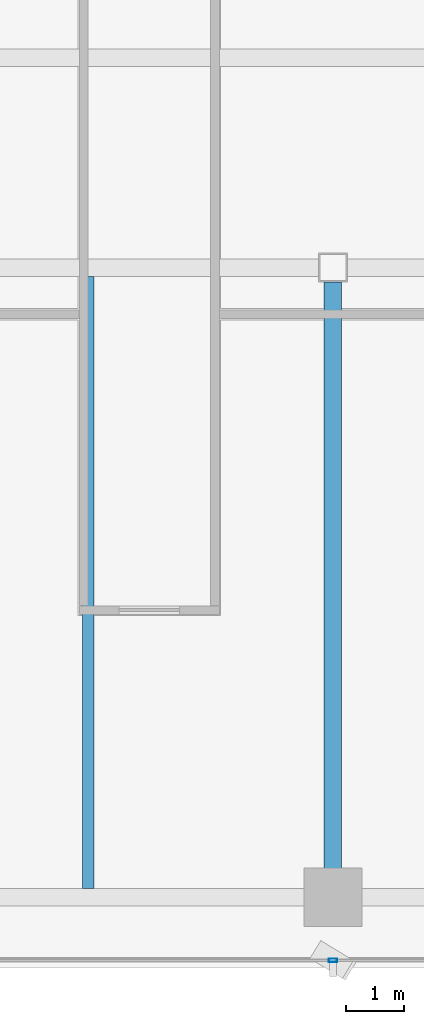
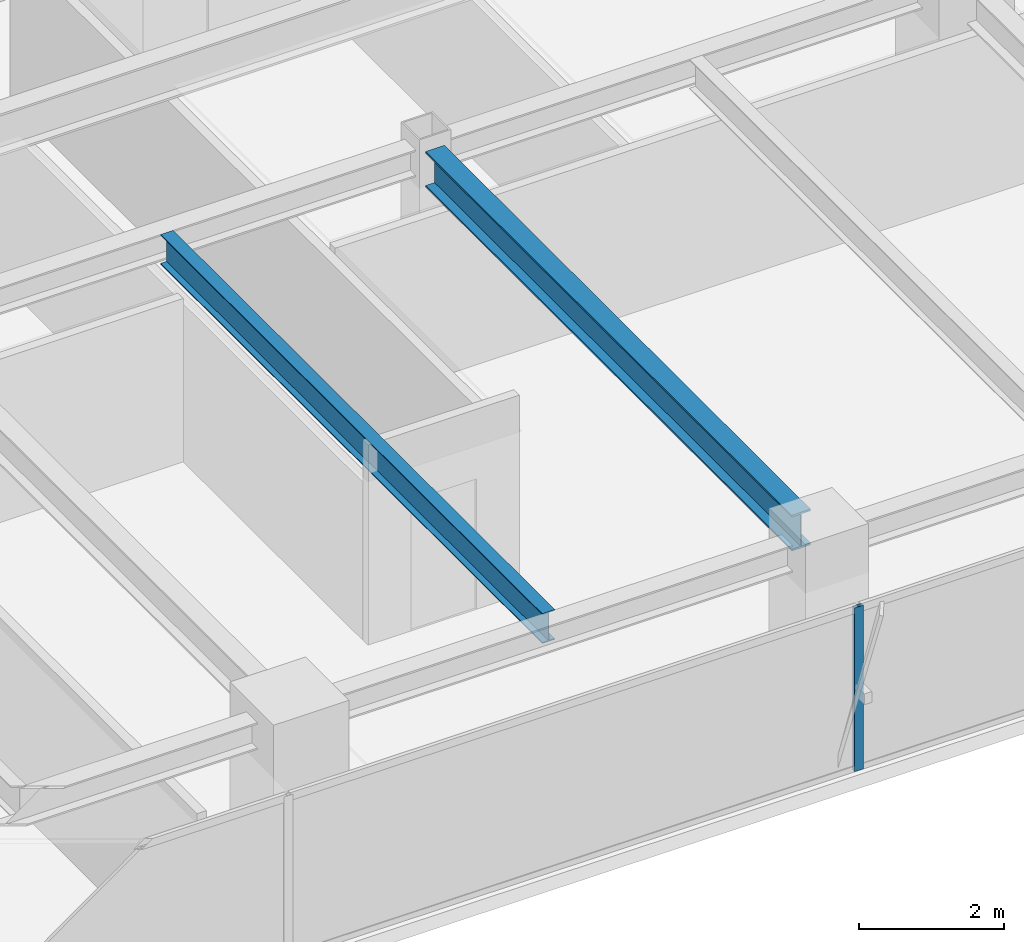
# One storey, part 6 of 25: 2 beams, 1 member, 1 element without a shape of its own.
"""IFC4 building model written with IfcOpenShell, lengths in metres."""

import ifcopenshell
import ifcopenshell.guid

model = None  # the IFC model being written
_history = None  # IfcOwnerHistory: only IFC2X3 demands one
_inside = {}  # id of a spatial element -> (the spatial element, [elements in it])
_under = {}  # id of a project, library or spatial element -> (it, [spatial elements below it])
_declared = {}  # id of a project -> (the project, [libraries it declares])
_typed = {}  # id of a type object -> (the type object, [elements of that type])
_made_of = {}  # id of a material, layer set ... -> (it, [elements and type objects made of it])


def new_model(schema):
    """Start an empty IFC model of exactly this schema.

    Asked for "IFC4X3", IfcOpenShell would pick the latest addendum, in which some entities
    have other attributes; the version numbers below select the first issue.
    IFC2X3 requires an IfcOwnerHistory on every rooted entity: one is made here for all.
    """
    global model, _history
    if schema == "IFC4X3":
        model = ifcopenshell.file(schema_version=(4, 3, 0, 0))
    else:
        model = ifcopenshell.file(schema=schema)
    _inside.clear()
    _under.clear()
    _declared.clear()
    _typed.clear()
    _made_of.clear()
    _history = None
    if model.schema == "IFC2X3":
        org = make("IfcOrganization", Name="unknown")
        user = make(
            "IfcPersonAndOrganization",
            ThePerson=make("IfcPerson", FamilyName="unknown"),
            TheOrganization=org,
        )
        app = make(
            "IfcApplication",
            ApplicationDeveloper=org,
            Version="unknown",
            ApplicationFullName="unknown",
            ApplicationIdentifier="unknown",
        )
        _history = make(
            "IfcOwnerHistory",
            OwningUser=user,
            OwningApplication=app,
            ChangeAction="ADDED",
            CreationDate=0,
        )
    return model


def make(cls, **values):
    """One entity of the class cls with the attributes given. An attribute that is None is left unset."""
    return model.create_entity(
        cls, **{name: value for name, value in values.items() if value is not None}
    )


def rooted(cls, **values):
    """An entity with a GlobalId (a new one), such as an element, a storey or a relation."""
    return make(cls, GlobalId=ifcopenshell.guid.new(), OwnerHistory=_history, **values)


def si_unit(unit_type, name, prefix=None):
    """IfcSIUnit, for example si_unit("LENGTHUNIT", "METRE", prefix="MILLI")."""
    return make("IfcSIUnit", UnitType=unit_type, Prefix=prefix, Name=name)


def assignment(units):
    """IfcUnitAssignment: the units of a project."""
    return None if units is None else make("IfcUnitAssignment", Units=units)


def point(xyz):
    """IfcCartesianPoint."""
    return None if xyz is None else make("IfcCartesianPoint", Coordinates=xyz)


def direction(xyz):
    """IfcDirection."""
    return None if xyz is None else make("IfcDirection", DirectionRatios=xyz)


def frame(location, z_axis=None, x_axis=None):
    """IfcAxis2Placement3D, a coordinate frame: its origin and axes. An axis left out is left unset."""
    return make(
        "IfcAxis2Placement3D",
        Location=point(location),
        Axis=direction(z_axis),
        RefDirection=direction(x_axis),
    )


def frame_2d(location, x_axis=None):
    """IfcAxis2Placement2D, a coordinate frame in the plane: its origin and x axis."""
    return make(
        "IfcAxis2Placement2D", Location=point(location), RefDirection=direction(x_axis)
    )


def origin():
    """The frame at (0, 0, 0) with its axes left unset."""
    return frame((0.0, 0.0, 0.0))


def origin_2d():
    """The frame at (0, 0) in the plane with its x axis left unset."""
    return frame_2d((0.0, 0.0))


def place(relative_to, where):
    """IfcLocalPlacement: puts the frame where relative to a parent placement (None: the world)."""
    return make(
        "IfcLocalPlacement", PlacementRelTo=relative_to, RelativePlacement=where
    )


def context(
    kind, dimensions, precision=None, world=None, true_north=None, identifier=None
):
    """IfcGeometricRepresentationContext, for example the 3D "Model" context."""
    return make(
        "IfcGeometricRepresentationContext",
        ContextIdentifier=identifier,
        ContextType=kind,
        CoordinateSpaceDimension=dimensions,
        Precision=precision,
        WorldCoordinateSystem=world,
        TrueNorth=true_north,
    )


def subcontext(parent, identifier, kind, view, scale=None):
    """IfcGeometricRepresentationSubContext, for example "Body" below "Model"."""
    return make(
        "IfcGeometricRepresentationSubContext",
        ContextIdentifier=identifier,
        ContextType=kind,
        ParentContext=parent,
        TargetScale=scale,
        TargetView=view,
    )


def project(units=None, contexts=None):
    """IfcProject with its units and contexts."""
    return rooted(
        "IfcProject",
        Name="project",
        RepresentationContexts=contexts,
        UnitsInContext=assignment(units),
    )


def spatial(cls, under=None, at=None, **own):
    """A site, building, storey or space (cls), placed at a placement, below another one or the project."""
    s = rooted(cls, ObjectPlacement=at, **own)
    if under is not None:
        _under.setdefault(under.id(), (under, []))[1].append(s)
    return s


def profile(cls, at=None, kind="AREA", **sizes):
    """A parametric profile (cls). Its sizes go by their IFC names, for example OverallWidth=200.0."""
    return make(cls, ProfileType=kind, Position=at, **sizes)


def hollow_rectangle(**sizes):
    """IfcRectangleHollowProfileDef."""
    return profile("IfcRectangleHollowProfileDef", **sizes)


def i_section(**sizes):
    """IfcIShapeProfileDef."""
    return profile("IfcIShapeProfileDef", **sizes)


def extrude(swept, where, along, depth):
    """IfcExtrudedAreaSolid: the profile swept, set in the frame where, extruded along a direction by depth."""
    return make(
        "IfcExtrudedAreaSolid",
        SweptArea=swept,
        Position=where,
        ExtrudedDirection=direction(along),
        Depth=depth,
    )


def shape(context_of_items, identifier, shape_type, items):
    """IfcShapeRepresentation: the items that make up one representation, for example the "Body"."""
    return make(
        "IfcShapeRepresentation",
        ContextOfItems=context_of_items,
        RepresentationIdentifier=identifier,
        RepresentationType=shape_type,
        Items=items,
    )


def source(mapping_origin, context_of_items, identifier, shape_type, items):
    """IfcRepresentationMap: a shape defined once, which mapped items show again and again."""
    return make(
        "IfcRepresentationMap",
        MappingOrigin=mapping_origin,
        MappedRepresentation=shape(context_of_items, identifier, shape_type, items),
    )


def transform(
    local_origin,
    x_axis=None,
    y_axis=None,
    z_axis=None,
    scale=None,
    scale2=None,
    scale3=None,
    uniform=True,
):
    """IfcCartesianTransformationOperator3D, or its non-uniform kind. x_axis, y_axis, z_axis: its Axis1, 2, 3."""
    if uniform:
        return make(
            "IfcCartesianTransformationOperator3D",
            Axis1=direction(x_axis),
            Axis2=direction(y_axis),
            LocalOrigin=point(local_origin),
            Scale=scale,
            Axis3=direction(z_axis),
        )
    return make(
        "IfcCartesianTransformationOperator3DnonUniform",
        Axis1=direction(x_axis),
        Axis2=direction(y_axis),
        LocalOrigin=point(local_origin),
        Scale=scale,
        Axis3=direction(z_axis),
        Scale2=scale2,
        Scale3=scale3,
    )


def mapped(mapping_source, mapping_target):
    """IfcMappedItem: shows the shape of a source again, moved by a transform."""
    return make(
        "IfcMappedItem", MappingSource=mapping_source, MappingTarget=mapping_target
    )


def material(Name=None, Category=None):
    """IfcMaterial."""
    return make("IfcMaterial", Name=Name, Category=Category)


def layer(
    of_material, thickness, ventilated=None, Name=None, Category=None, Priority=None
):
    """IfcMaterialLayer: one layer of a wall or slab, of a material (None: an air gap)."""
    return make(
        "IfcMaterialLayer",
        Material=of_material,
        LayerThickness=thickness,
        IsVentilated=ventilated,
        Name=Name,
        Category=Category,
        Priority=Priority,
    )


def layer_set(layers, Name=None):
    """IfcMaterialLayerSet."""
    return make("IfcMaterialLayerSet", MaterialLayers=layers, LayerSetName=Name)


def material_profile(
    of_material, cross_section, Name=None, Category=None, Priority=None
):
    """IfcMaterialProfile: a cross section and its material."""
    return make(
        "IfcMaterialProfile",
        Name=Name,
        Material=of_material,
        Profile=cross_section,
        Priority=Priority,
        Category=Category,
    )


def profile_set(profiles, Name=None, composite=None):
    """IfcMaterialProfileSet."""
    return make(
        "IfcMaterialProfileSet",
        Name=Name,
        MaterialProfiles=profiles,
        CompositeProfile=composite,
    )


def made_of(thing, what):
    """Note that an element or type object is made of a material, layer set ...; save() writes the relation."""
    if what is not None:
        _made_of.setdefault(what.id(), (what, []))[1].append(thing)
    return thing


def type_object(cls, material=None, **own):
    """A type object (cls), such as IfcWallType, which elements share."""
    return made_of(rooted(cls, **own), material)


def element(
    cls,
    number,
    at=None,
    inside=None,
    cuts=None,
    type_object=None,
    material=None,
    context=None,
    identifier="Body",
    shape_type=None,
    held_by="IfcProductDefinitionShape",
    body=None,
    shapes=None,
    **own,
):
    """One element of the class cls, such as IfcWall. Its Tag is "e" and its number.

    at: its placement. inside: the storey or other place that contains it. cuts: it is an
    opening in that element (IfcRelVoidsElement). A single representation is given by context,
    identifier, shape_type and body (its items); several are given by shapes. held_by: the class
    of the entity that holds the representations. save() writes the other relations.
    """
    e = rooted(cls, Tag="e%d" % number, ObjectPlacement=at, **own)
    if body is not None:
        shapes = [shape(context, identifier, shape_type, body)]
    if shapes is not None:
        e.Representation = make(held_by, Representations=shapes)
    if inside is not None:
        _inside.setdefault(inside.id(), (inside, []))[1].append(e)
    if cuts is not None:
        rooted(
            "IfcRelVoidsElement", RelatingBuildingElement=cuts, RelatedOpeningElement=e
        )
    if type_object is not None:
        _typed.setdefault(type_object.id(), (type_object, []))[1].append(e)
    return made_of(e, material)


def aggregate(whole, parts):
    """IfcRelAggregates: a whole, such as a stair, and the parts it consists of."""
    return rooted("IfcRelAggregates", RelatingObject=whole, RelatedObjects=parts)


def save(model, path):
    """Write the relations noted so far, then the file.

    IfcRelAggregates (storeys below a building ...), IfcRelContainedInSpatialStructure (elements
    in a storey), IfcRelDefinesByType, IfcRelAssociatesMaterial and IfcRelDeclares: one each for
    every whole, place, type object, material and project.
    """
    for whole, parts in _under.values():
        aggregate(whole, parts)
    for where, things in _inside.values():
        rooted(
            "IfcRelContainedInSpatialStructure",
            RelatedElements=things,
            RelatingStructure=where,
        )
    for kind, things in _typed.values():
        rooted("IfcRelDefinesByType", RelatedObjects=things, RelatingType=kind)
    for what, things in _made_of.values():
        rooted("IfcRelAssociatesMaterial", RelatedObjects=things, RelatingMaterial=what)
    for by, libraries in _declared.values():
        rooted("IfcRelDeclares", RelatingContext=by, RelatedDefinitions=libraries)
    model.write(path)


model = new_model("IFC4")

# Units and contexts
model_context = context("Model", 3, precision=1e-05, world=origin(), true_north=direction((0.0, 1.0)))
body_context = subcontext(model_context, "Body", "Model", "MODEL_VIEW")
ifc_project = project(units=[si_unit("LENGTHUNIT", "METRE"), si_unit("AREAUNIT", "SQUARE_METRE"), si_unit("VOLUMEUNIT", "CUBIC_METRE"), si_unit("PLANEANGLEUNIT", "RADIAN"), si_unit("MASSUNIT", "GRAM", prefix="KILO")], contexts=[model_context])

# Site, building, storey
site_placement = place(None, origin())
site = spatial("IfcSite", under=ifc_project, at=site_placement, CompositionType="ELEMENT")
building_placement = place(site_placement, origin())
building = spatial("IfcBuilding", under=site, at=building_placement, Name="Sumidabori Civic Tower", CompositionType="ELEMENT")
storey_placement = place(building_placement, frame((0.0, 0.0, 246.800048828125)))
storey = spatial("IfcBuildingStorey", under=building, at=storey_placement, Name="L64", CompositionType="ELEMENT", Elevation=246.800048828125)

# Beams
ifc_material_1 = material(Name="Steel SN490", Category="steel")
ifc_material_profile_1 = material_profile(ifc_material_1, i_section(OverallWidth=0.300048828125, OverallDepth=0.60009765625, WebThickness=0.015380859375, FlangeThickness=0.030029296875, at=origin_2d()), Name="HE 600 B")
ifc_profile_set_1 = profile_set([ifc_material_profile_1], Name="Steel SN490")
beam_type_1 = type_object("IfcBeamType", Name="BM-GIRD-600", PredefinedType="BEAM", material=ifc_profile_set_1)
shared_shape_1 = source(origin(), body_context, "Body", "SweptSolid", [
    extrude(i_section(OverallWidth=0.300048828125, OverallDepth=0.60009765625, WebThickness=0.015380859375, FlangeThickness=0.030029296875, at=origin_2d()), origin(), (0.0, 0.0, 1.0), 10.070068359375),
])
beam_1_placement = place(storey_placement, frame((0.0, -10.320068359375, 3.070068359375), z_axis=(0.0, 1.0, 0.0), x_axis=(-1.0, 0.0, 0.0)))
element("IfcBeam", 1, at=beam_1_placement, inside=storey, type_object=beam_type_1, Name="Primary Girder L64 GY-13", PredefinedType="BEAM", context=body_context, shape_type="MappedRepresentation", body=[
    mapped(shared_shape_1, transform((0.0, 0.0, 0.0), x_axis=(1.0, 0.0, 0.0), y_axis=(0.0, 1.0, 0.0), z_axis=(0.0, 0.0, 1.0), scale=1.0)),
])
ifc_material_profile_2 = material_profile(ifc_material_1, i_section(OverallWidth=0.199951171875, OverallDepth=0.5, WebThickness=0.01025390625, FlangeThickness=0.01611328125, at=origin_2d()), Name="IPE 500")
ifc_profile_set_2 = profile_set([ifc_material_profile_2], Name="Steel SN490")
beam_type_2 = type_object("IfcBeamType", Name="BM-JST-500", PredefinedType="JOIST", material=ifc_profile_set_2)
shared_shape_2 = source(origin(), body_context, "Body", "SweptSolid", [
    extrude(i_section(OverallWidth=0.199951171875, OverallDepth=0.5, WebThickness=0.01025390625, FlangeThickness=0.01611328125, at=origin_2d()), origin(), (0.0, 0.0, 1.0), 10.5),
])
beam_2_placement = place(storey_placement, frame((-4.199951171875, -10.64990234375, 3.119873046875), z_axis=(0.0, 1.0, 0.0), x_axis=(-1.0, 0.0, 0.0)))
element("IfcBeam", 2, at=beam_2_placement, inside=storey, type_object=beam_type_2, Name="Upper Lens N-S Floor Joist L64 JSTV-21", PredefinedType="JOIST", context=body_context, shape_type="MappedRepresentation", body=[
    mapped(shared_shape_2, transform((0.0, 0.0, 0.0), x_axis=(1.0, 0.0, 0.0), y_axis=(0.0, 1.0, 0.0), z_axis=(0.0, 0.0, 1.0), scale=1.0)),
])

# Curtain wall, member
ifc_material_2 = material(Name="Anodised Bronze Aluminium AW-6063-T6", Category="aluminium")
ifc_layer = layer(ifc_material_2, 0.179931640625, Name="Anodised Bronze Aluminium AW-6063-T6")
ifc_layer_set = layer_set([ifc_layer], Name="Anodised Bronze Aluminium AW-6063-T6")
curtain_wall_type = type_object("IfcCurtainWallType", Name="CW-SYS-5", PredefinedType="NOTDEFINED", material=ifc_layer_set)
curtain_wall_placement = place(storey_placement, origin())
curtain_wall = element("IfcCurtainWall", 3, at=curtain_wall_placement, inside=storey, type_object=curtain_wall_type, Name="Curtain Wall CW:L64:R01", PredefinedType="NOTDEFINED")
ifc_material_profile_3 = material_profile(ifc_material_2, hollow_rectangle(XDim=0.06005859375, YDim=0.139892578125, WallThickness=0.0048828125, at=origin_2d()), Name="ALU MULLION 140x60")
ifc_profile_set_3 = profile_set([ifc_material_profile_3], Name="Anodised Bronze Aluminium AW-6063-T6")
member_type = type_object("IfcMemberType", Name="CW-MUL-140", PredefinedType="MULLION", material=ifc_profile_set_3)
shared_shape_3 = source(origin(), body_context, "Body", "SweptSolid", [
    extrude(hollow_rectangle(XDim=0.06005859375, YDim=0.139892578125, WallThickness=0.0048828125, at=origin_2d()), origin(), (0.0, 0.0, 1.0), 2.75),
])
member_placement = place(storey_placement, frame((0.0, -11.8798828125, 0.0), z_axis=(0.0, 0.0, 1.0), x_axis=(0.0, 1.0, 0.0)))
member = element("IfcMember", 4, at=member_placement, type_object=member_type, Name="CW-5 mullion 3", PredefinedType="MULLION", context=body_context, shape_type="MappedRepresentation", body=[
    mapped(shared_shape_3, transform((0.0, 0.0, 0.0), x_axis=(1.0, 0.0, 0.0), y_axis=(0.0, 1.0, 0.0), z_axis=(0.0, 0.0, 1.0), scale=1.0)),
])
aggregate(curtain_wall, [member])

save(model, "model.ifc")
